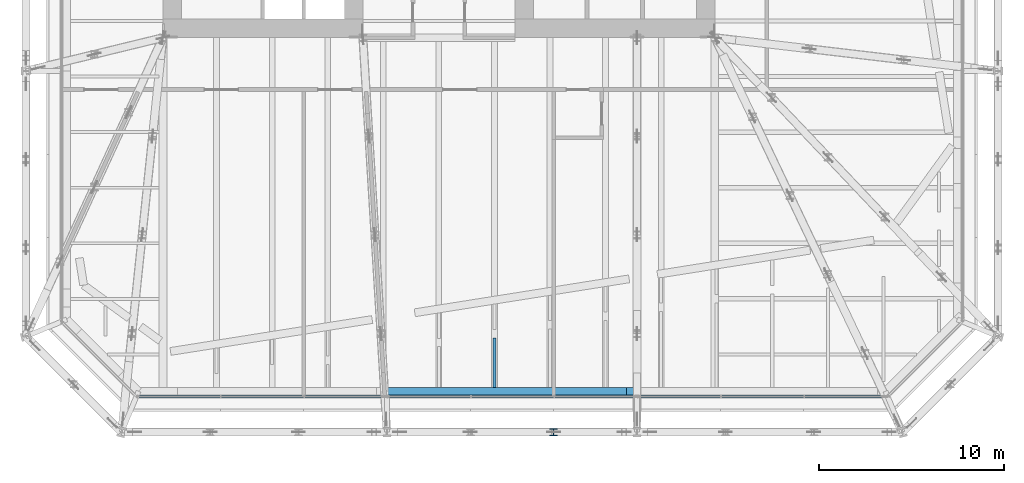
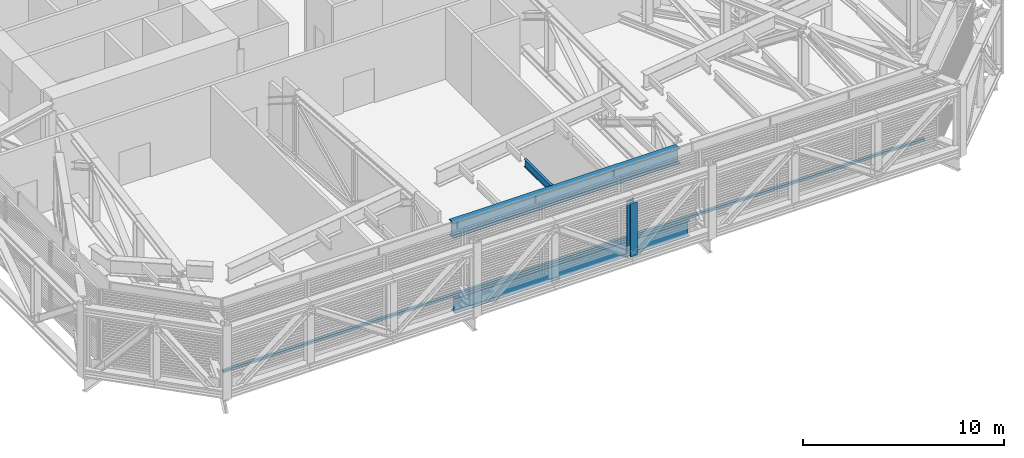
# One storey, part 4 of 31: 3 beams, 2 members, 1 element without a shape of its own.
"""IFC4 building model written with IfcOpenShell, lengths in metres."""

from ifc_helpers import new_model, si_unit, direction, frame, origin, origin_2d, place, context, subcontext, project, spatial, rectangle, i_section, extrude, material, layer, layer_set, material_profile, profile_set, type_object, element, aggregate, save


model = new_model("IFC4")

# Units and contexts
model_context = context("Model", 3, precision=1e-05, world=origin(), true_north=direction((0.0, 1.0)))
body_context = subcontext(model_context, "Body", "Model", "MODEL_VIEW")
ifc_project = project(units=[si_unit("LENGTHUNIT", "METRE"), si_unit("AREAUNIT", "SQUARE_METRE"), si_unit("VOLUMEUNIT", "CUBIC_METRE"), si_unit("PLANEANGLEUNIT", "RADIAN"), si_unit("MASSUNIT", "GRAM", prefix="KILO")], contexts=[model_context])

# Site, building, storey
site_placement = place(None, origin())
site = spatial("IfcSite", under=ifc_project, at=site_placement, CompositionType="ELEMENT")
building_placement = place(site_placement, origin())
building = spatial("IfcBuilding", under=site, at=building_placement, Name="Millrace Tower", CompositionType="ELEMENT")
storey_placement = place(building_placement, frame((0.0, 0.0, 120.39990234375)))
storey = spatial("IfcBuildingStorey", under=building, at=storey_placement, Name="L26", CompositionType="ELEMENT", Elevation=120.39990234375)

# Member
ifc_material_1 = material(Name="Steel ASTM A992 Grade 50", Category="steel")
ifc_material_profile_1 = material_profile(ifc_material_1, i_section(OverallWidth=0.398681640625, OverallDepth=0.385986328125, WebThickness=0.02099609375, FlangeThickness=0.033203125, FilletRadius=0.01513671875, at=origin_2d()))
ifc_profile_set_1 = profile_set([ifc_material_profile_1], Name="Steel ASTM A992 Grade 50")
member_type_1 = type_object("IfcMemberType", Name="Belt truss post W14x176", PredefinedType="POST", material=ifc_profile_set_1)
member_1_placement = place(storey_placement, frame((6.199951171875, -31.199951171875, 0.498046875), z_axis=(0.0, 0.0, 1.0), x_axis=(1.0, 0.0, 0.0)))
element("IfcMember", 1, at=member_1_placement, inside=storey, type_object=member_type_1, Name="BLT-L26-R03-V02", PredefinedType="POST", context=body_context, shape_type="SweptSolid", body=[
    extrude(i_section(OverallWidth=0.398681640625, OverallDepth=0.385986328125, WebThickness=0.02099609375, FlangeThickness=0.033203125, FilletRadius=0.01513671875, at=origin_2d()), origin(), (0.0, 0.0, 1.0), 3.244140625),
])

# Curtain wall, member
ifc_material_2 = material(Name="Aluminium and glass", Category="aluminium")
ifc_layer = layer(ifc_material_2, 0.14990234375)
ifc_layer_set = layer_set([ifc_layer], Name="Aluminium and glass")
curtain_wall_type = type_object("IfcCurtainWallType", Name="CW-5 truss and plant storey louvred infill", PredefinedType="NOTDEFINED", material=ifc_layer_set)
curtain_wall_placement = place(storey_placement, origin())
curtain_wall = element("IfcCurtainWall", 2, at=curtain_wall_placement, inside=storey, type_object=curtain_wall_type, Name="Curtain wall B-F02 L26", PredefinedType="NOTDEFINED")
ifc_material_3 = material(Name="Aluminium", Category="aluminium")
ifc_material_profile_2 = material_profile(ifc_material_3, rectangle(XDim=0.14990234375, YDim=0.139892578125, at=origin_2d()))
ifc_profile_set_2 = profile_set([ifc_material_profile_2], Name="Aluminium")
member_type_2 = type_object("IfcMemberType", Name="CW-5 truss and plant storey louvred infill transom", PredefinedType="USERDEFINED", material=ifc_profile_set_2)
member_2_placement = place(storey_placement, frame((-16.199951171875, -29.27490234375, 0.070068359375), z_axis=(1.0, 0.0, 0.0), x_axis=(0.0, 1.0, 0.0)))
member_2 = element("IfcMember", 3, at=member_2_placement, type_object=member_type_2, Name="CW5 transom B-F02.1", ObjectType="TRANSOM", PredefinedType="USERDEFINED", context=body_context, shape_type="SweptSolid", body=[
    extrude(rectangle(XDim=0.14990234375, YDim=0.139892578125, at=origin_2d()), origin(), (0.0, 0.0, 1.0), 40.300048828125),
])
aggregate(curtain_wall, [member_2])

# Beams
ifc_material_4 = material(Name="Steel ASTM A992 Grade 50", Category="steel")
ifc_material_profile_3 = material_profile(ifc_material_4, i_section(OverallWidth=0.15234375, OverallDepth=0.449462890625, WebThickness=0.007568359375, FlangeThickness=0.0107421875, FilletRadius=0.01025390625, at=origin_2d()))
ifc_profile_set_3 = profile_set([ifc_material_profile_3], Name="Steel ASTM A992 Grade 50")
beam_type_1 = type_object("IfcBeamType", Name="Floor beam W18x35", PredefinedType="JOIST", material=ifc_profile_set_3)
beam_1_placement = place(storey_placement, frame((3.0, -28.7783203125, 4.115234375), z_axis=(0.0, 1.0, 0.0), x_axis=(-1.0, 0.0, 0.0)))
element("IfcBeam", 4, at=beam_1_placement, inside=storey, type_object=beam_type_1, Name="BM-B-L26-R1-S008-a", PredefinedType="JOIST", context=body_context, shape_type="SweptSolid", body=[
    extrude(i_section(OverallWidth=0.15234375, OverallDepth=0.449462890625, WebThickness=0.007568359375, FlangeThickness=0.0107421875, FilletRadius=0.01025390625, at=origin_2d()), origin(), (0.0, 0.0, 1.0), 2.6689453125),
])
ifc_material_5 = material(Name="Steel ASTM A992 Grade 50", Category="steel")
ifc_material_profile_4 = material_profile(ifc_material_5, i_section(OverallWidth=0.421630859375, OverallDepth=0.937255859375, WebThickness=0.021240234375, FlangeThickness=0.03662109375, FilletRadius=0.024169921875, at=origin_2d()))
ifc_profile_set_4 = profile_set([ifc_material_profile_4], Name="Steel ASTM A992 Grade 50")
beam_type_2 = type_object("IfcBeamType", Name="Ring beam medium span W36x262", PredefinedType="SPANDREL", material=ifc_profile_set_4)
beam_2_placement = place(storey_placement, frame((10.699951171875, -28.9892578125, -0.718505859375), z_axis=(-1.0, 0.0, 0.0), x_axis=(0.0, -1.0, 0.0)))
element("IfcBeam", 5, at=beam_2_placement, inside=storey, type_object=beam_type_2, Name="RNG-B-L26-S1-14", PredefinedType="SPANDREL", context=body_context, shape_type="SweptSolid", body=[
    extrude(i_section(OverallWidth=0.421630859375, OverallDepth=0.937255859375, WebThickness=0.021240234375, FlangeThickness=0.03662109375, FilletRadius=0.024169921875, at=origin_2d()), origin(), (0.0, 0.0, 1.0), 13.5),
])
beam_3_placement = place(storey_placement, frame((10.12841796875, -28.9892578125, 3.87158203125), z_axis=(-1.0, 0.0, 0.0), x_axis=(0.0, -1.0, 0.0)))
element("IfcBeam", 6, at=beam_3_placement, inside=storey, type_object=beam_type_2, Name="RNG-B-L26-R1-03", PredefinedType="SPANDREL", context=body_context, shape_type="SweptSolid", body=[
    extrude(i_section(OverallWidth=0.421630859375, OverallDepth=0.937255859375, WebThickness=0.021240234375, FlangeThickness=0.03662109375, FilletRadius=0.024169921875, at=origin_2d()), origin(), (0.0, 0.0, 1.0), 13.031005859375),
])

save(model, "model.ifc")
